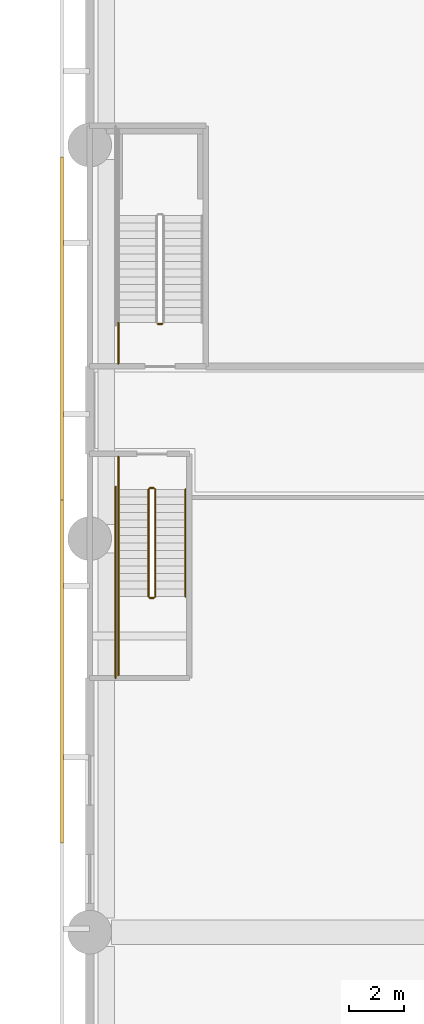
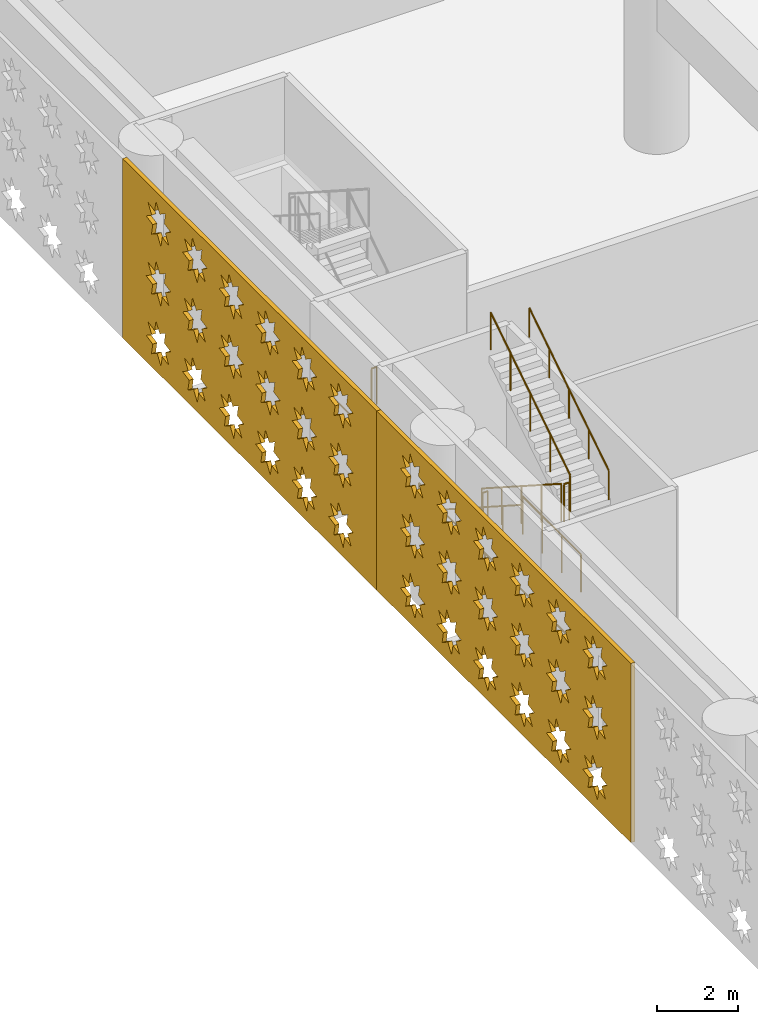
# One storey, part 17 of 30: 11 railings, 2 coverings.
"""IFC4 building model written with IfcOpenShell, lengths in metres."""

from ifc_helpers import new_model, si_unit, direction, frame, origin, origin_2d, place, context, subcontext, project, spatial, polyline, circle, outline, extrude, material, layer, layer_set, type_object, element, save


model = new_model("IFC4")

# Units and contexts
model_context = context("Model", 3, precision=1e-05, world=origin(), true_north=direction((0.0, 1.0)))
body_context = subcontext(model_context, "Body", "Model", "MODEL_VIEW")
ifc_project = project(units=[si_unit("LENGTHUNIT", "METRE"), si_unit("AREAUNIT", "SQUARE_METRE"), si_unit("VOLUMEUNIT", "CUBIC_METRE"), si_unit("PLANEANGLEUNIT", "RADIAN"), si_unit("MASSUNIT", "GRAM", prefix="KILO")], contexts=[model_context])

# Site, building, storey
site_placement = place(None, origin())
site = spatial("IfcSite", under=ifc_project, at=site_placement, CompositionType="ELEMENT")
building_placement = place(site_placement, origin())
building = spatial("IfcBuilding", under=site, at=building_placement, Name="Saffron Iwan Residences", CompositionType="ELEMENT")
storey_placement = place(building_placement, frame((0.0, 0.0, 7.800048828125)))
storey = spatial("IfcBuildingStorey", under=building, at=storey_placement, Name="L01", CompositionType="ELEMENT", Elevation=7.800048828125)

# Coverings
ifc_material_1 = material(Name="Terracotta screen, precast concrete C40/50", Category="masonry")
ifc_layer = layer(ifc_material_1, 0.1201171875)
ifc_layer_set = layer_set([ifc_layer], Name="Terracotta screen, precast concrete C40/50")
covering_type = type_object("IfcCoveringType", Name="PODIUM SCREEN GIRIH", PredefinedType="CLADDING", material=ifc_layer_set)
covering_1_placement = place(storey_placement, frame((-0.949951171875, 61.95849609375, -0.400146484375), z_axis=(-1.0, 0.0, 0.0), x_axis=(0.0, -1.0, 0.0)))
element("IfcCovering", 1, at=covering_1_placement, inside=storey, type_object=covering_type, Name="SCREEN girih terracotta L01 F3.2", PredefinedType="CLADDING", context=body_context, shape_type="SweptSolid", body=[
    extrude(outline(polyline([(0.0, 0.0), (12.545654296875, 0.0), (12.545654296875, 5.39990234375), (0.0, 5.39990234375), (0.0, 0.0)]), holes=[polyline([(2.380859375, 1.02099609375), (2.0556640625, 1.0888671875), (2.1171875, 1.41552734375), (1.839111328125, 1.2333984375), (1.65185546875, 1.508056640625), (1.583984375, 1.1826171875), (1.25732421875, 1.244384765625), (1.439453125, 0.96630859375), (1.164794921875, 0.779052734375), (1.490234375, 0.711181640625), (1.428466796875, 0.384521484375), (1.70654296875, 0.56640625), (1.893798828125, 0.2919921875), (1.9619140625, 0.6171875), (2.288330078125, 0.555419921875), (2.106201171875, 0.833740234375), (2.380859375, 1.02099609375)]), polyline([(2.380859375, 2.821044921875), (2.0556640625, 2.888916015625), (2.1171875, 3.215576171875), (1.839111328125, 3.033447265625), (1.65185546875, 3.30810546875), (1.583984375, 2.982666015625), (1.25732421875, 3.04443359375), (1.439453125, 2.766357421875), (1.164794921875, 2.5791015625), (1.490234375, 2.510986328125), (1.428466796875, 2.1845703125), (1.70654296875, 2.366455078125), (1.893798828125, 2.091796875), (1.9619140625, 2.417236328125), (2.288330078125, 2.35546875), (2.106201171875, 2.6337890625), (2.380859375, 2.821044921875)]), polyline([(2.380859375, 4.62109375), (2.0556640625, 4.68896484375), (2.1171875, 5.015380859375), (1.839111328125, 4.83349609375), (1.65185546875, 5.108154296875), (1.583984375, 4.78271484375), (1.25732421875, 4.844482421875), (1.439453125, 4.56640625), (1.164794921875, 4.37890625), (1.490234375, 4.31103515625), (1.428466796875, 3.984619140625), (1.70654296875, 4.16650390625), (1.893798828125, 3.891845703125), (1.9619140625, 4.21728515625), (2.288330078125, 4.155517578125), (2.106201171875, 4.43359375), (2.380859375, 4.62109375)]), polyline([(4.180908203125, 1.02099609375), (3.855712890625, 1.0888671875), (3.917236328125, 1.41552734375), (3.63916015625, 1.2333984375), (3.451904296875, 1.508056640625), (3.384033203125, 1.1826171875), (3.057373046875, 1.244384765625), (3.239501953125, 0.96630859375), (2.96484375, 0.779052734375), (3.290283203125, 0.711181640625), (3.228515625, 0.384521484375), (3.506591796875, 0.56640625), (3.69384765625, 0.2919921875), (3.76171875, 0.6171875), (4.08837890625, 0.555419921875), (3.90625, 0.833740234375), (4.180908203125, 1.02099609375)]), polyline([(4.180908203125, 2.821044921875), (3.855712890625, 2.888916015625), (3.917236328125, 3.215576171875), (3.63916015625, 3.033447265625), (3.451904296875, 3.30810546875), (3.384033203125, 2.982666015625), (3.057373046875, 3.04443359375), (3.239501953125, 2.766357421875), (2.96484375, 2.5791015625), (3.290283203125, 2.510986328125), (3.228515625, 2.1845703125), (3.506591796875, 2.366455078125), (3.69384765625, 2.091796875), (3.76171875, 2.417236328125), (4.08837890625, 2.35546875), (3.90625, 2.6337890625), (4.180908203125, 2.821044921875)]), polyline([(4.180908203125, 4.62109375), (3.855712890625, 4.68896484375), (3.917236328125, 5.015380859375), (3.63916015625, 4.83349609375), (3.451904296875, 5.108154296875), (3.384033203125, 4.78271484375), (3.057373046875, 4.844482421875), (3.239501953125, 4.56640625), (2.96484375, 4.37890625), (3.290283203125, 4.31103515625), (3.228515625, 3.984619140625), (3.506591796875, 4.16650390625), (3.69384765625, 3.891845703125), (3.76171875, 4.21728515625), (4.08837890625, 4.155517578125), (3.90625, 4.43359375), (4.180908203125, 4.62109375)]), polyline([(5.98095703125, 1.02099609375), (5.655517578125, 1.0888671875), (5.71728515625, 1.41552734375), (5.439208984375, 1.2333984375), (5.251953125, 1.508056640625), (5.18408203125, 1.1826171875), (4.857421875, 1.244384765625), (5.039306640625, 0.96630859375), (4.764892578125, 0.779052734375), (5.090087890625, 0.711181640625), (5.0283203125, 0.384521484375), (5.306396484375, 0.56640625), (5.493896484375, 0.2919921875), (5.561767578125, 0.6171875), (5.888427734375, 0.555419921875), (5.706298828125, 0.833740234375), (5.98095703125, 1.02099609375)]), polyline([(5.98095703125, 2.821044921875), (5.655517578125, 2.888916015625), (5.71728515625, 3.215576171875), (5.439208984375, 3.033447265625), (5.251953125, 3.30810546875), (5.18408203125, 2.982666015625), (4.857421875, 3.04443359375), (5.039306640625, 2.766357421875), (4.764892578125, 2.5791015625), (5.090087890625, 2.510986328125), (5.0283203125, 2.1845703125), (5.306396484375, 2.366455078125), (5.493896484375, 2.091796875), (5.561767578125, 2.417236328125), (5.888427734375, 2.35546875), (5.706298828125, 2.6337890625), (5.98095703125, 2.821044921875)]), polyline([(5.98095703125, 4.62109375), (5.655517578125, 4.68896484375), (5.71728515625, 5.015380859375), (5.439208984375, 4.83349609375), (5.251953125, 5.108154296875), (5.18408203125, 4.78271484375), (4.857421875, 4.844482421875), (5.039306640625, 4.56640625), (4.764892578125, 4.37890625), (5.090087890625, 4.31103515625), (5.0283203125, 3.984619140625), (5.306396484375, 4.16650390625), (5.493896484375, 3.891845703125), (5.561767578125, 4.21728515625), (5.888427734375, 4.155517578125), (5.706298828125, 4.43359375), (5.98095703125, 4.62109375)]), polyline([(7.781005859375, 1.02099609375), (7.45556640625, 1.0888671875), (7.517333984375, 1.41552734375), (7.2392578125, 1.2333984375), (7.052001953125, 1.508056640625), (6.98388671875, 1.1826171875), (6.6572265625, 1.244384765625), (6.83935546875, 0.96630859375), (6.564697265625, 0.779052734375), (6.89013671875, 0.711181640625), (6.828369140625, 0.384521484375), (7.1064453125, 0.56640625), (7.293701171875, 0.2919921875), (7.36181640625, 0.6171875), (7.6884765625, 0.555419921875), (7.50634765625, 0.833740234375), (7.781005859375, 1.02099609375)]), polyline([(7.781005859375, 2.821044921875), (7.45556640625, 2.888916015625), (7.517333984375, 3.215576171875), (7.2392578125, 3.033447265625), (7.052001953125, 3.30810546875), (6.98388671875, 2.982666015625), (6.6572265625, 3.04443359375), (6.83935546875, 2.766357421875), (6.564697265625, 2.5791015625), (6.89013671875, 2.510986328125), (6.828369140625, 2.1845703125), (7.1064453125, 2.366455078125), (7.293701171875, 2.091796875), (7.36181640625, 2.417236328125), (7.6884765625, 2.35546875), (7.50634765625, 2.6337890625), (7.781005859375, 2.821044921875)]), polyline([(7.781005859375, 4.62109375), (7.45556640625, 4.68896484375), (7.517333984375, 5.015380859375), (7.2392578125, 4.83349609375), (7.052001953125, 5.108154296875), (6.98388671875, 4.78271484375), (6.6572265625, 4.844482421875), (6.83935546875, 4.56640625), (6.564697265625, 4.37890625), (6.89013671875, 4.31103515625), (6.828369140625, 3.984619140625), (7.1064453125, 4.16650390625), (7.293701171875, 3.891845703125), (7.36181640625, 4.21728515625), (7.6884765625, 4.155517578125), (7.50634765625, 4.43359375), (7.781005859375, 4.62109375)]), polyline([(9.580810546875, 1.02099609375), (9.255615234375, 1.0888671875), (9.3173828125, 1.41552734375), (9.039306640625, 1.2333984375), (8.851806640625, 1.508056640625), (8.783935546875, 1.1826171875), (8.457275390625, 1.244384765625), (8.639404296875, 0.96630859375), (8.36474609375, 0.779052734375), (8.690185546875, 0.711181640625), (8.62841796875, 0.384521484375), (8.906494140625, 0.56640625), (9.09375, 0.2919921875), (9.161865234375, 0.6171875), (9.48828125, 0.555419921875), (9.306396484375, 0.833740234375), (9.580810546875, 1.02099609375)]), polyline([(9.580810546875, 2.821044921875), (9.255615234375, 2.888916015625), (9.3173828125, 3.215576171875), (9.039306640625, 3.033447265625), (8.851806640625, 3.30810546875), (8.783935546875, 2.982666015625), (8.457275390625, 3.04443359375), (8.639404296875, 2.766357421875), (8.36474609375, 2.5791015625), (8.690185546875, 2.510986328125), (8.62841796875, 2.1845703125), (8.906494140625, 2.366455078125), (9.09375, 2.091796875), (9.161865234375, 2.417236328125), (9.48828125, 2.35546875), (9.306396484375, 2.6337890625), (9.580810546875, 2.821044921875)]), polyline([(9.580810546875, 4.62109375), (9.255615234375, 4.68896484375), (9.3173828125, 5.015380859375), (9.039306640625, 4.83349609375), (8.851806640625, 5.108154296875), (8.783935546875, 4.78271484375), (8.457275390625, 4.844482421875), (8.639404296875, 4.56640625), (8.36474609375, 4.37890625), (8.690185546875, 4.31103515625), (8.62841796875, 3.984619140625), (8.906494140625, 4.16650390625), (9.09375, 3.891845703125), (9.161865234375, 4.21728515625), (9.48828125, 4.155517578125), (9.306396484375, 4.43359375), (9.580810546875, 4.62109375)]), polyline([(11.380859375, 1.02099609375), (11.0556640625, 1.0888671875), (11.1171875, 1.41552734375), (10.839111328125, 1.2333984375), (10.65185546875, 1.508056640625), (10.583984375, 1.1826171875), (10.25732421875, 1.244384765625), (10.439453125, 0.96630859375), (10.164794921875, 0.779052734375), (10.490234375, 0.711181640625), (10.428466796875, 0.384521484375), (10.70654296875, 0.56640625), (10.893798828125, 0.2919921875), (10.9619140625, 0.6171875), (11.288330078125, 0.555419921875), (11.106201171875, 0.833740234375), (11.380859375, 1.02099609375)]), polyline([(11.380859375, 2.821044921875), (11.0556640625, 2.888916015625), (11.1171875, 3.215576171875), (10.839111328125, 3.033447265625), (10.65185546875, 3.30810546875), (10.583984375, 2.982666015625), (10.25732421875, 3.04443359375), (10.439453125, 2.766357421875), (10.164794921875, 2.5791015625), (10.490234375, 2.510986328125), (10.428466796875, 2.1845703125), (10.70654296875, 2.366455078125), (10.893798828125, 2.091796875), (10.9619140625, 2.417236328125), (11.288330078125, 2.35546875), (11.106201171875, 2.6337890625), (11.380859375, 2.821044921875)]), polyline([(11.380859375, 4.62109375), (11.0556640625, 4.68896484375), (11.1171875, 5.015380859375), (10.839111328125, 4.83349609375), (10.65185546875, 5.108154296875), (10.583984375, 4.78271484375), (10.25732421875, 4.844482421875), (10.439453125, 4.56640625), (10.164794921875, 4.37890625), (10.490234375, 4.31103515625), (10.428466796875, 3.984619140625), (10.70654296875, 4.16650390625), (10.893798828125, 3.891845703125), (10.9619140625, 4.21728515625), (11.288330078125, 4.155517578125), (11.106201171875, 4.43359375), (11.380859375, 4.62109375)])]), origin(), (0.0, 0.0, 1.0), 0.1201171875),
])
covering_2_placement = place(storey_placement, frame((-0.949951171875, 49.412841796875, -0.400146484375), z_axis=(-1.0, 0.0, 0.0), x_axis=(0.0, -1.0, 0.0)))
element("IfcCovering", 2, at=covering_2_placement, inside=storey, type_object=covering_type, Name="SCREEN girih terracotta L01 F3.3", PredefinedType="CLADDING", context=body_context, shape_type="SweptSolid", body=[
    extrude(outline(polyline([(0.0, 0.0), (12.545654296875, 0.0), (12.545654296875, 5.39990234375), (0.0, 5.39990234375), (0.0, 0.0)]), holes=[polyline([(2.380859375, 1.02099609375), (2.0556640625, 1.0888671875), (2.1171875, 1.41552734375), (1.839111328125, 1.2333984375), (1.65185546875, 1.508056640625), (1.583984375, 1.1826171875), (1.25732421875, 1.244384765625), (1.439453125, 0.96630859375), (1.164794921875, 0.779052734375), (1.490234375, 0.711181640625), (1.428466796875, 0.384521484375), (1.70654296875, 0.56640625), (1.893798828125, 0.2919921875), (1.9619140625, 0.6171875), (2.288330078125, 0.555419921875), (2.106201171875, 0.833740234375), (2.380859375, 1.02099609375)]), polyline([(2.380859375, 2.821044921875), (2.0556640625, 2.888916015625), (2.1171875, 3.215576171875), (1.839111328125, 3.033447265625), (1.65185546875, 3.30810546875), (1.583984375, 2.982666015625), (1.25732421875, 3.04443359375), (1.439453125, 2.766357421875), (1.164794921875, 2.5791015625), (1.490234375, 2.510986328125), (1.428466796875, 2.1845703125), (1.70654296875, 2.366455078125), (1.893798828125, 2.091796875), (1.9619140625, 2.417236328125), (2.288330078125, 2.35546875), (2.106201171875, 2.6337890625), (2.380859375, 2.821044921875)]), polyline([(2.380859375, 4.62109375), (2.0556640625, 4.68896484375), (2.1171875, 5.015380859375), (1.839111328125, 4.83349609375), (1.65185546875, 5.108154296875), (1.583984375, 4.78271484375), (1.25732421875, 4.844482421875), (1.439453125, 4.56640625), (1.164794921875, 4.37890625), (1.490234375, 4.31103515625), (1.428466796875, 3.984619140625), (1.70654296875, 4.16650390625), (1.893798828125, 3.891845703125), (1.9619140625, 4.21728515625), (2.288330078125, 4.155517578125), (2.106201171875, 4.43359375), (2.380859375, 4.62109375)]), polyline([(4.180908203125, 1.02099609375), (3.855712890625, 1.0888671875), (3.917236328125, 1.41552734375), (3.63916015625, 1.2333984375), (3.451904296875, 1.508056640625), (3.384033203125, 1.1826171875), (3.057373046875, 1.244384765625), (3.239501953125, 0.96630859375), (2.96484375, 0.779052734375), (3.290283203125, 0.711181640625), (3.228515625, 0.384521484375), (3.506591796875, 0.56640625), (3.69384765625, 0.2919921875), (3.76171875, 0.6171875), (4.08837890625, 0.555419921875), (3.90625, 0.833740234375), (4.180908203125, 1.02099609375)]), polyline([(4.180908203125, 2.821044921875), (3.855712890625, 2.888916015625), (3.917236328125, 3.215576171875), (3.63916015625, 3.033447265625), (3.451904296875, 3.30810546875), (3.384033203125, 2.982666015625), (3.057373046875, 3.04443359375), (3.239501953125, 2.766357421875), (2.96484375, 2.5791015625), (3.290283203125, 2.510986328125), (3.228515625, 2.1845703125), (3.506591796875, 2.366455078125), (3.69384765625, 2.091796875), (3.76171875, 2.417236328125), (4.08837890625, 2.35546875), (3.90625, 2.6337890625), (4.180908203125, 2.821044921875)]), polyline([(4.180908203125, 4.62109375), (3.855712890625, 4.68896484375), (3.917236328125, 5.015380859375), (3.63916015625, 4.83349609375), (3.451904296875, 5.108154296875), (3.384033203125, 4.78271484375), (3.057373046875, 4.844482421875), (3.239501953125, 4.56640625), (2.96484375, 4.37890625), (3.290283203125, 4.31103515625), (3.228515625, 3.984619140625), (3.506591796875, 4.16650390625), (3.69384765625, 3.891845703125), (3.76171875, 4.21728515625), (4.08837890625, 4.155517578125), (3.90625, 4.43359375), (4.180908203125, 4.62109375)]), polyline([(5.98095703125, 1.02099609375), (5.655517578125, 1.0888671875), (5.71728515625, 1.41552734375), (5.439208984375, 1.2333984375), (5.251953125, 1.508056640625), (5.18408203125, 1.1826171875), (4.857421875, 1.244384765625), (5.039306640625, 0.96630859375), (4.764892578125, 0.779052734375), (5.090087890625, 0.711181640625), (5.0283203125, 0.384521484375), (5.306396484375, 0.56640625), (5.493896484375, 0.2919921875), (5.561767578125, 0.6171875), (5.888427734375, 0.555419921875), (5.706298828125, 0.833740234375), (5.98095703125, 1.02099609375)]), polyline([(5.98095703125, 2.821044921875), (5.655517578125, 2.888916015625), (5.71728515625, 3.215576171875), (5.439208984375, 3.033447265625), (5.251953125, 3.30810546875), (5.18408203125, 2.982666015625), (4.857421875, 3.04443359375), (5.039306640625, 2.766357421875), (4.764892578125, 2.5791015625), (5.090087890625, 2.510986328125), (5.0283203125, 2.1845703125), (5.306396484375, 2.366455078125), (5.493896484375, 2.091796875), (5.561767578125, 2.417236328125), (5.888427734375, 2.35546875), (5.706298828125, 2.6337890625), (5.98095703125, 2.821044921875)]), polyline([(5.98095703125, 4.62109375), (5.655517578125, 4.68896484375), (5.71728515625, 5.015380859375), (5.439208984375, 4.83349609375), (5.251953125, 5.108154296875), (5.18408203125, 4.78271484375), (4.857421875, 4.844482421875), (5.039306640625, 4.56640625), (4.764892578125, 4.37890625), (5.090087890625, 4.31103515625), (5.0283203125, 3.984619140625), (5.306396484375, 4.16650390625), (5.493896484375, 3.891845703125), (5.561767578125, 4.21728515625), (5.888427734375, 4.155517578125), (5.706298828125, 4.43359375), (5.98095703125, 4.62109375)]), polyline([(7.781005859375, 1.02099609375), (7.45556640625, 1.0888671875), (7.517333984375, 1.41552734375), (7.2392578125, 1.2333984375), (7.052001953125, 1.508056640625), (6.98388671875, 1.1826171875), (6.6572265625, 1.244384765625), (6.83935546875, 0.96630859375), (6.564697265625, 0.779052734375), (6.89013671875, 0.711181640625), (6.828369140625, 0.384521484375), (7.1064453125, 0.56640625), (7.293701171875, 0.2919921875), (7.36181640625, 0.6171875), (7.6884765625, 0.555419921875), (7.50634765625, 0.833740234375), (7.781005859375, 1.02099609375)]), polyline([(7.781005859375, 2.821044921875), (7.45556640625, 2.888916015625), (7.517333984375, 3.215576171875), (7.2392578125, 3.033447265625), (7.052001953125, 3.30810546875), (6.98388671875, 2.982666015625), (6.6572265625, 3.04443359375), (6.83935546875, 2.766357421875), (6.564697265625, 2.5791015625), (6.89013671875, 2.510986328125), (6.828369140625, 2.1845703125), (7.1064453125, 2.366455078125), (7.293701171875, 2.091796875), (7.36181640625, 2.417236328125), (7.6884765625, 2.35546875), (7.50634765625, 2.6337890625), (7.781005859375, 2.821044921875)]), polyline([(7.781005859375, 4.62109375), (7.45556640625, 4.68896484375), (7.517333984375, 5.015380859375), (7.2392578125, 4.83349609375), (7.052001953125, 5.108154296875), (6.98388671875, 4.78271484375), (6.6572265625, 4.844482421875), (6.83935546875, 4.56640625), (6.564697265625, 4.37890625), (6.89013671875, 4.31103515625), (6.828369140625, 3.984619140625), (7.1064453125, 4.16650390625), (7.293701171875, 3.891845703125), (7.36181640625, 4.21728515625), (7.6884765625, 4.155517578125), (7.50634765625, 4.43359375), (7.781005859375, 4.62109375)]), polyline([(9.580810546875, 1.02099609375), (9.255615234375, 1.0888671875), (9.3173828125, 1.41552734375), (9.039306640625, 1.2333984375), (8.851806640625, 1.508056640625), (8.783935546875, 1.1826171875), (8.457275390625, 1.244384765625), (8.639404296875, 0.96630859375), (8.36474609375, 0.779052734375), (8.690185546875, 0.711181640625), (8.62841796875, 0.384521484375), (8.906494140625, 0.56640625), (9.09375, 0.2919921875), (9.161865234375, 0.6171875), (9.48828125, 0.555419921875), (9.306396484375, 0.833740234375), (9.580810546875, 1.02099609375)]), polyline([(9.580810546875, 2.821044921875), (9.255615234375, 2.888916015625), (9.3173828125, 3.215576171875), (9.039306640625, 3.033447265625), (8.851806640625, 3.30810546875), (8.783935546875, 2.982666015625), (8.457275390625, 3.04443359375), (8.639404296875, 2.766357421875), (8.36474609375, 2.5791015625), (8.690185546875, 2.510986328125), (8.62841796875, 2.1845703125), (8.906494140625, 2.366455078125), (9.09375, 2.091796875), (9.161865234375, 2.417236328125), (9.48828125, 2.35546875), (9.306396484375, 2.6337890625), (9.580810546875, 2.821044921875)]), polyline([(9.580810546875, 4.62109375), (9.255615234375, 4.68896484375), (9.3173828125, 5.015380859375), (9.039306640625, 4.83349609375), (8.851806640625, 5.108154296875), (8.783935546875, 4.78271484375), (8.457275390625, 4.844482421875), (8.639404296875, 4.56640625), (8.36474609375, 4.37890625), (8.690185546875, 4.31103515625), (8.62841796875, 3.984619140625), (8.906494140625, 4.16650390625), (9.09375, 3.891845703125), (9.161865234375, 4.21728515625), (9.48828125, 4.155517578125), (9.306396484375, 4.43359375), (9.580810546875, 4.62109375)]), polyline([(11.380859375, 1.02099609375), (11.0556640625, 1.0888671875), (11.1171875, 1.41552734375), (10.839111328125, 1.2333984375), (10.65185546875, 1.508056640625), (10.583984375, 1.1826171875), (10.25732421875, 1.244384765625), (10.439453125, 0.96630859375), (10.164794921875, 0.779052734375), (10.490234375, 0.711181640625), (10.428466796875, 0.384521484375), (10.70654296875, 0.56640625), (10.893798828125, 0.2919921875), (10.9619140625, 0.6171875), (11.288330078125, 0.555419921875), (11.106201171875, 0.833740234375), (11.380859375, 1.02099609375)]), polyline([(11.380859375, 2.821044921875), (11.0556640625, 2.888916015625), (11.1171875, 3.215576171875), (10.839111328125, 3.033447265625), (10.65185546875, 3.30810546875), (10.583984375, 2.982666015625), (10.25732421875, 3.04443359375), (10.439453125, 2.766357421875), (10.164794921875, 2.5791015625), (10.490234375, 2.510986328125), (10.428466796875, 2.1845703125), (10.70654296875, 2.366455078125), (10.893798828125, 2.091796875), (10.9619140625, 2.417236328125), (11.288330078125, 2.35546875), (11.106201171875, 2.6337890625), (11.380859375, 2.821044921875)]), polyline([(11.380859375, 4.62109375), (11.0556640625, 4.68896484375), (11.1171875, 5.015380859375), (10.839111328125, 4.83349609375), (10.65185546875, 5.108154296875), (10.583984375, 4.78271484375), (10.25732421875, 4.844482421875), (10.439453125, 4.56640625), (10.164794921875, 4.37890625), (10.490234375, 4.31103515625), (10.428466796875, 3.984619140625), (10.70654296875, 4.16650390625), (10.893798828125, 3.891845703125), (10.9619140625, 4.21728515625), (11.288330078125, 4.155517578125), (11.106201171875, 4.43359375), (11.380859375, 4.62109375)])]), origin(), (0.0, 0.0, 1.0), 0.1201171875),
])

# Railings
ifc_material_2 = material(Name="Steel S355", Category="steel")
railing_type_1 = type_object("IfcRailingType", Name="Podium stair guard 1150", PredefinedType="GUARDRAIL", material=ifc_material_2)
railing_1_placement = place(storey_placement, frame((2.14990234375, 49.800048828125, 0.179931640625)))
element("IfcRailing", 3, at=railing_1_placement, inside=storey, type_object=railing_type_1, Name="L01 PS1 stair guard 1", PredefinedType="GUARDRAIL", context=body_context, shape_type="SweptSolid", body=[
    extrude(circle(Radius=0.02392578125, at=origin_2d()), frame((0.0, 0.0, 1.1259765625), z_axis=(0.0, -0.841186985886, 0.540744352514), x_axis=(1.0, 0.0, 0.0)), (0.0, 0.0, 1.0), 4.660400390625),
    extrude(circle(Radius=0.02099609375, at=origin_2d()), origin(), (0.0, 0.0, 1.0), 1.101806640625),
    extrude(circle(Radius=0.02099609375, at=origin_2d()), frame((0.0, -0.97998046875, 0.6298828125)), (0.0, 0.0, 1.0), 1.101806640625),
    extrude(circle(Radius=0.02099609375, at=origin_2d()), frame((0.0, -1.9599609375, 1.260009765625)), (0.0, 0.0, 1.0), 1.101806640625),
    extrude(circle(Radius=0.02099609375, at=origin_2d()), frame((0.0, -2.940185546875, 1.89013671875)), (0.0, 0.0, 1.0), 1.101806640625),
    extrude(circle(Radius=0.02099609375, at=origin_2d()), frame((0.0, -3.920166015625, 2.52001953125)), (0.0, 0.0, 1.0), 1.101806640625),
])
railing_2_placement = place(storey_placement, frame((2.199951171875, 45.830078125, 2.699951171875)))
element("IfcRailing", 4, at=railing_2_placement, inside=storey, type_object=railing_type_1, Name="L01 PS1 stair guard 2", PredefinedType="GUARDRAIL", context=body_context, shape_type="SweptSolid", body=[
    extrude(circle(Radius=0.02392578125, at=origin_2d()), frame((0.0, 0.0, 1.1259765625), z_axis=(1.0, 0.0, 0.0), x_axis=(0.0, 1.0, 0.0)), (0.0, 0.0, 1.0), 0.150146484375),
    extrude(circle(Radius=0.02099609375, at=origin_2d()), origin(), (0.0, 0.0, 1.0), 1.101806640625),
    extrude(circle(Radius=0.02099609375, at=origin_2d()), frame((0.150146484375, 0.0, 0.0)), (0.0, 0.0, 1.0), 1.101806640625),
])
railing_3_placement = place(storey_placement, frame((1.050048828125, 45.8798828125, 2.699951171875)))
element("IfcRailing", 5, at=railing_3_placement, inside=storey, type_object=railing_type_1, Name="L01 PS1 stair guard 3", PredefinedType="GUARDRAIL", context=body_context, shape_type="SweptSolid", body=[
    extrude(circle(Radius=0.02392578125, at=origin_2d()), frame((0.0, 0.0, 1.1259765625), z_axis=(0.0, -1.0, 0.0), x_axis=(1.0, 0.0, 0.0)), (0.0, 0.0, 1.0), 2.8798828125),
    extrude(circle(Radius=0.02099609375, at=origin_2d()), origin(), (0.0, 0.0, 1.0), 1.101806640625),
    extrude(circle(Radius=0.02099609375, at=origin_2d()), frame((0.0, -0.9599609375, 0.0)), (0.0, 0.0, 1.0), 1.101806640625),
    extrude(circle(Radius=0.02099609375, at=origin_2d()), frame((0.0, -1.919921875, 0.0)), (0.0, 0.0, 1.0), 1.101806640625),
    extrude(circle(Radius=0.02099609375, at=origin_2d()), frame((0.0, -2.8798828125, 0.0)), (0.0, 0.0, 1.0), 1.101806640625),
])
railing_4_placement = place(storey_placement, frame((2.39990234375, 45.8798828125, 2.8798828125)))
element("IfcRailing", 6, at=railing_4_placement, inside=storey, type_object=railing_type_1, Name="L01 PS1 stair guard 4", PredefinedType="GUARDRAIL", context=body_context, shape_type="SweptSolid", body=[
    extrude(circle(Radius=0.02392578125, at=origin_2d()), frame((0.0, 0.0, 1.1259765625), z_axis=(0.0, 0.841186985886, 0.540744352514), x_axis=(-1.0, 0.0, 0.0)), (0.0, 0.0, 1.0), 4.660400390625),
    extrude(circle(Radius=0.02099609375, at=origin_2d()), origin(), (0.0, 0.0, 1.0), 1.101806640625),
    extrude(circle(Radius=0.02099609375, at=origin_2d()), frame((0.0, 0.97998046875, 0.6298828125)), (0.0, 0.0, 1.0), 1.101806640625),
    extrude(circle(Radius=0.02099609375, at=origin_2d()), frame((0.0, 1.9599609375, 1.260009765625)), (0.0, 0.0, 1.0), 1.101806640625),
    extrude(circle(Radius=0.02099609375, at=origin_2d()), frame((0.0, 2.940185546875, 1.89013671875)), (0.0, 0.0, 1.0), 1.101806640625),
    extrude(circle(Radius=0.02099609375, at=origin_2d()), frame((0.0, 3.920166015625, 2.52001953125)), (0.0, 0.0, 1.0), 1.101806640625),
])
railing_5_placement = place(storey_placement, frame((2.199951171875, 49.85009765625, 0.0)))
element("IfcRailing", 7, at=railing_5_placement, inside=storey, type_object=railing_type_1, Name="L01 PS1 stair guard 5", PredefinedType="GUARDRAIL", context=body_context, shape_type="SweptSolid", body=[
    extrude(circle(Radius=0.02392578125, at=origin_2d()), frame((0.0, 0.0, 1.1259765625), z_axis=(1.0, 0.0, 0.0), x_axis=(0.0, 1.0, 0.0)), (0.0, 0.0, 1.0), 0.150146484375),
    extrude(circle(Radius=0.02099609375, at=origin_2d()), origin(), (0.0, 0.0, 1.0), 1.101806640625),
    extrude(circle(Radius=0.02099609375, at=origin_2d()), frame((0.150146484375, 0.0, 0.0)), (0.0, 0.0, 1.0), 1.101806640625),
])
railing_6_placement = place(storey_placement, frame((1.050048828125, 51.0, 0.0)))
element("IfcRailing", 8, at=railing_6_placement, inside=storey, type_object=railing_type_1, Name="L01 PS1 stair guard 6", PredefinedType="GUARDRAIL", context=body_context, shape_type="SweptSolid", body=[
    extrude(circle(Radius=0.02392578125, at=origin_2d()), frame((0.0, 0.0, 1.1259765625), z_axis=(0.0, -1.0, 0.0), x_axis=(1.0, 0.0, 0.0)), (0.0, 0.0, 1.0), 1.199951171875),
    extrude(circle(Radius=0.02099609375, at=origin_2d()), origin(), (0.0, 0.0, 1.0), 1.101806640625),
    extrude(circle(Radius=0.02099609375, at=origin_2d()), frame((0.0, -1.199951171875, 0.0)), (0.0, 0.0, 1.0), 1.101806640625),
])
railing_7_placement = place(storey_placement, frame((0.949951171875, 49.89990234375, 0.0)))
element("IfcRailing", 9, at=railing_7_placement, inside=storey, type_object=railing_type_1, Name="L01 PS1 stair guard 7", PredefinedType="GUARDRAIL", context=body_context, shape_type="SweptSolid", body=[
    extrude(circle(Radius=0.02392578125, at=origin_2d()), frame((0.0, 0.0, 1.1259765625), z_axis=(0.0, -1.0, 0.0), x_axis=(1.0, 0.0, 0.0)), (0.0, 0.0, 1.0), 7.0),
    extrude(circle(Radius=0.02099609375, at=origin_2d()), origin(), (0.0, 0.0, 1.0), 1.101806640625),
    extrude(circle(Radius=0.02099609375, at=origin_2d()), frame((0.0, -1.166748046875, 0.0)), (0.0, 0.0, 1.0), 1.101806640625),
    extrude(circle(Radius=0.02099609375, at=origin_2d()), frame((0.0, -2.333251953125, 0.0)), (0.0, 0.0, 1.0), 1.101806640625),
    extrude(circle(Radius=0.02099609375, at=origin_2d()), frame((0.0, -3.5, 0.0)), (0.0, 0.0, 1.0), 1.101806640625),
    extrude(circle(Radius=0.02099609375, at=origin_2d()), frame((0.0, -4.666748046875, 0.0)), (0.0, 0.0, 1.0), 1.101806640625),
    extrude(circle(Radius=0.02099609375, at=origin_2d()), frame((0.0, -5.833251953125, 0.0)), (0.0, 0.0, 1.0), 1.101806640625),
    extrude(circle(Radius=0.02099609375, at=origin_2d()), frame((0.0, -7.0, 0.0)), (0.0, 0.0, 1.0), 1.101806640625),
])
railing_8_placement = place(storey_placement, frame((2.64990234375, 55.85009765625, 0.0)))
element("IfcRailing", 10, at=railing_8_placement, inside=storey, type_object=railing_type_1, Name="L01 PS3 stair guard 5", PredefinedType="GUARDRAIL", context=body_context, shape_type="SweptSolid", body=[
    extrude(circle(Radius=0.02392578125, at=origin_2d()), frame((0.0, 0.0, 1.1259765625), z_axis=(-1.0, 0.0, 0.0), x_axis=(0.0, -1.0, 0.0)), (0.0, 0.0, 1.0), 0.14990234375),
    extrude(circle(Radius=0.02099609375, at=origin_2d()), origin(), (0.0, 0.0, 1.0), 1.101806640625),
    extrude(circle(Radius=0.02099609375, at=origin_2d()), frame((-0.14990234375, 0.0, 0.0)), (0.0, 0.0, 1.0), 1.101806640625),
])
railing_9_placement = place(storey_placement, frame((1.050048828125, 54.39990234375, 0.0)))
element("IfcRailing", 11, at=railing_9_placement, inside=storey, type_object=railing_type_1, Name="L01 PS3 stair guard 6", PredefinedType="GUARDRAIL", context=body_context, shape_type="SweptSolid", body=[
    extrude(circle(Radius=0.02392578125, at=origin_2d()), frame((0.0, 0.0, 1.1259765625), z_axis=(0.0, 1.0, 0.0), x_axis=(-1.0, 0.0, 0.0)), (0.0, 0.0, 1.0), 1.5),
    extrude(circle(Radius=0.02099609375, at=origin_2d()), origin(), (0.0, 0.0, 1.0), 1.101806640625),
    extrude(circle(Radius=0.02099609375, at=origin_2d()), frame((0.0, 0.75, 0.0)), (0.0, 0.0, 1.0), 1.101806640625),
    extrude(circle(Radius=0.02099609375, at=origin_2d()), frame((0.0, 1.5, 0.0)), (0.0, 0.0, 1.0), 1.101806640625),
])
railing_type_2 = type_object("IfcRailingType", Name="Podium stair handrail 900", PredefinedType="HANDRAIL", material=ifc_material_2)
railing_10_placement = place(storey_placement, frame((1.050048828125, 49.800048828125, 0.179931640625)))
element("IfcRailing", 12, at=railing_10_placement, inside=storey, type_object=railing_type_2, Name="L01 PS1 stair handrail 1", PredefinedType="HANDRAIL", context=body_context, shape_type="SweptSolid", body=[
    extrude(circle(Radius=0.02392578125, at=origin_2d()), frame((0.0, 0.0, 0.8759765625), z_axis=(0.0, -0.841186985886, 0.540744352514), x_axis=(1.0, 0.0, 0.0)), (0.0, 0.0, 1.0), 4.660400390625),
    extrude(circle(Radius=0.02099609375, at=origin_2d()), origin(), (0.0, 0.0, 1.0), 0.851806640625),
    extrude(circle(Radius=0.02099609375, at=origin_2d()), frame((0.0, -0.97998046875, 0.6298828125)), (0.0, 0.0, 1.0), 0.851806640625),
    extrude(circle(Radius=0.02099609375, at=origin_2d()), frame((0.0, -1.9599609375, 1.260009765625)), (0.0, 0.0, 1.0), 0.851806640625),
    extrude(circle(Radius=0.02099609375, at=origin_2d()), frame((0.0, -2.940185546875, 1.89013671875)), (0.0, 0.0, 1.0), 0.851806640625),
    extrude(circle(Radius=0.02099609375, at=origin_2d()), frame((0.0, -3.920166015625, 2.52001953125)), (0.0, 0.0, 1.0), 0.851806640625),
])
railing_11_placement = place(storey_placement, frame((3.5, 45.8798828125, 2.8798828125)))
element("IfcRailing", 13, at=railing_11_placement, inside=storey, type_object=railing_type_2, Name="L01 PS1 stair handrail 2", PredefinedType="HANDRAIL", context=body_context, shape_type="SweptSolid", body=[
    extrude(circle(Radius=0.02392578125, at=origin_2d()), frame((0.0, 0.0, 0.8759765625), z_axis=(0.0, 0.841186985886, 0.540744352514), x_axis=(-1.0, 0.0, 0.0)), (0.0, 0.0, 1.0), 4.660400390625),
    extrude(circle(Radius=0.02099609375, at=origin_2d()), origin(), (0.0, 0.0, 1.0), 0.851806640625),
    extrude(circle(Radius=0.02099609375, at=origin_2d()), frame((0.0, 0.97998046875, 0.6298828125)), (0.0, 0.0, 1.0), 0.851806640625),
    extrude(circle(Radius=0.02099609375, at=origin_2d()), frame((0.0, 1.9599609375, 1.260009765625)), (0.0, 0.0, 1.0), 0.851806640625),
    extrude(circle(Radius=0.02099609375, at=origin_2d()), frame((0.0, 2.940185546875, 1.89013671875)), (0.0, 0.0, 1.0), 0.851806640625),
    extrude(circle(Radius=0.02099609375, at=origin_2d()), frame((0.0, 3.920166015625, 2.52001953125)), (0.0, 0.0, 1.0), 0.851806640625),
])

save(model, "model.ifc")
